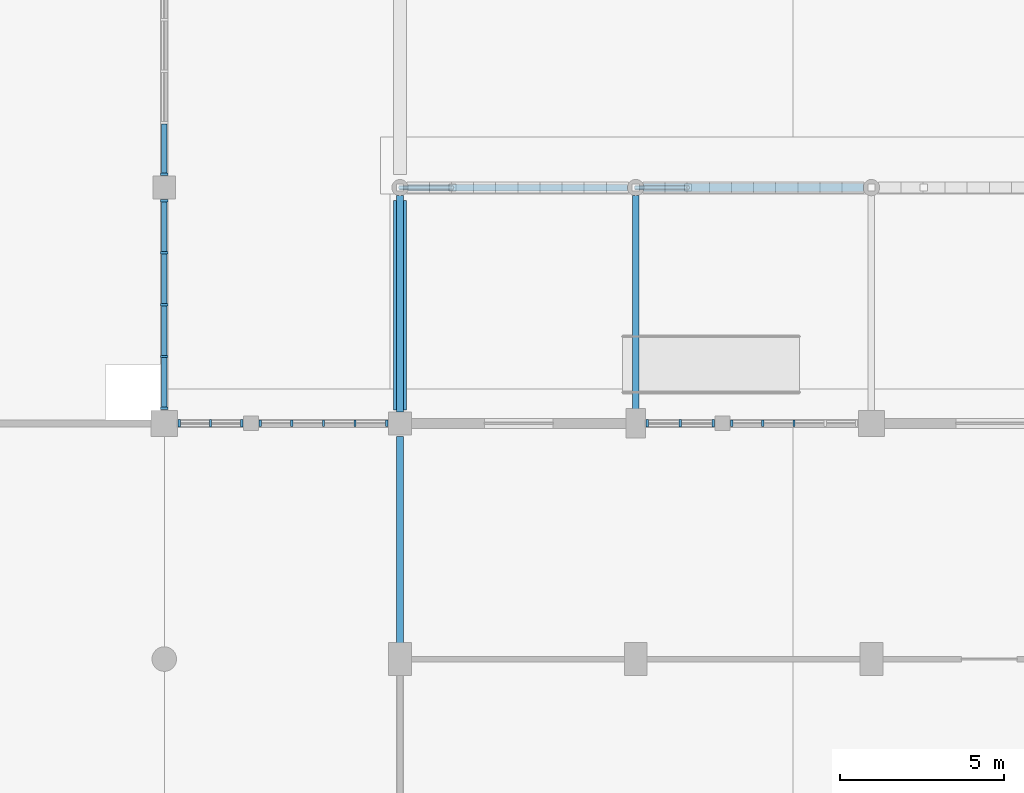
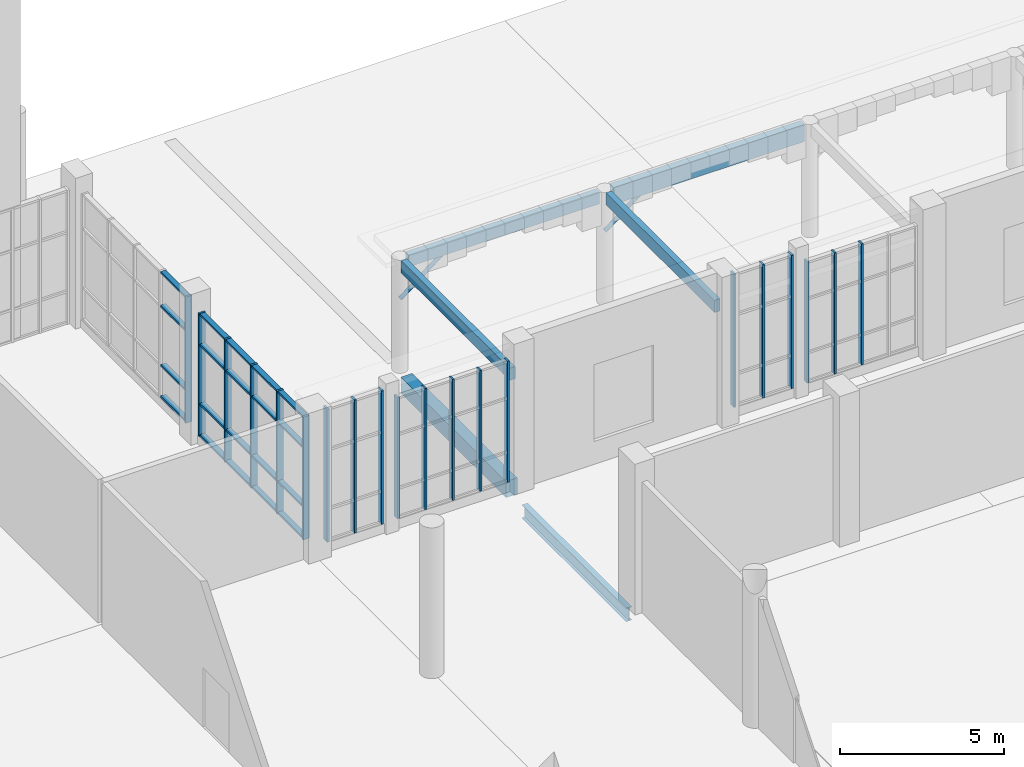
# One storey, part 25 of 85: 42 members, 6 beams, 6 elements without a shape of their own.
"""IFC4 building model written with IfcOpenShell, lengths in metres."""

from ifc_helpers import new_model, si_unit, direction, frame, origin, origin_2d, place, context, subcontext, project, spatial, rectangle, hollow_circle, i_section, extrude, material, material_profile, profile_set, type_object, element, aggregate, save


model = new_model("IFC4")

# Units and contexts
model_context = context("Model", 3, precision=1e-05, world=origin(), true_north=direction((0.0, 1.0)))
body_context = subcontext(model_context, "Body", "Model", "MODEL_VIEW")
ifc_project = project(units=[si_unit("LENGTHUNIT", "METRE"), si_unit("AREAUNIT", "SQUARE_METRE"), si_unit("VOLUMEUNIT", "CUBIC_METRE"), si_unit("PLANEANGLEUNIT", "RADIAN"), si_unit("MASSUNIT", "GRAM", prefix="KILO")], contexts=[model_context])

# Site, building, storey
site_placement = place(None, origin())
site = spatial("IfcSite", under=ifc_project, at=site_placement, CompositionType="ELEMENT")
building_placement = place(site_placement, origin())
building = spatial("IfcBuilding", under=site, at=building_placement, Name="Sardonyx Promenade Sports Hall", CompositionType="ELEMENT")
storey_placement = place(building_placement, origin())
storey = spatial("IfcBuildingStorey", under=building, at=storey_placement, Name="L00", CompositionType="ELEMENT", Elevation=0.0)

# Beams
ifc_material_1 = material(Name="Glulam GL28h", Category="wood")
ifc_material_profile_1 = material_profile(ifc_material_1, rectangle(XDim=0.239990234375, YDim=0.639892578125, at=origin_2d()))
ifc_profile_set_1 = profile_set([ifc_material_profile_1], Name="Glulam GL28h")
beam_type_1 = type_object("IfcBeamType", Name="Bm_Canopy_GL640", PredefinedType="BEAM", material=ifc_profile_set_1)
beam_1_placement = place(storey_placement, frame((122.64501953125, 93.60009765625, 3.8798828125), z_axis=(1.0, 0.0, 0.0), x_axis=(0.0, 1.0, 0.0)))
element("IfcBeam", 1, at=beam_1_placement, inside=storey, type_object=beam_type_1, Name="Promenade colonnade glulam beam #2", PredefinedType="BEAM", context=body_context, shape_type="SweptSolid", body=[
    extrude(rectangle(XDim=0.239990234375, YDim=0.639892578125, at=origin_2d()), origin(), (0.0, 0.0, 1.0), 6.7099609375),
])
ifc_material_2 = material(Name="Steel S355JR", Category="steel")
ifc_material_profile_2 = material_profile(ifc_material_2, i_section(OverallWidth=0.199951171875, OverallDepth=0.5, WebThickness=0.01025390625, FlangeThickness=0.01611328125, at=origin_2d()))
ifc_profile_set_2 = profile_set([ifc_material_profile_2], Name="Steel S355JR")
beam_type_2 = type_object("IfcBeamType", Name="Bm_Primary_IPE500", PredefinedType="BEAM", material=ifc_profile_set_2)
beam_2_placement = place(storey_placement, frame((115.199951171875, 79.64990234375, -0.659912109375), z_axis=(0.0, 1.0, 0.0), x_axis=(-1.0, 0.0, 0.0)))
element("IfcBeam", 2, at=beam_2_placement, inside=storey, type_object=beam_type_2, Name="Beam SB06 L00 #159", PredefinedType="BEAM", context=body_context, shape_type="SweptSolid", body=[
    extrude(i_section(OverallWidth=0.199951171875, OverallDepth=0.5, WebThickness=0.01025390625, FlangeThickness=0.01611328125, at=origin_2d()), origin(), (0.0, 0.0, 1.0), 6.35009765625),
])
ifc_material_3 = material(Name="Glulam GL28h", Category="wood")
ifc_material_profile_3 = material_profile(ifc_material_3, rectangle(XDim=0.199951171875, YDim=0.449951171875, at=origin_2d()))
ifc_profile_set_3 = profile_set([ifc_material_profile_3], Name="Glulam GL28h")
beam_type_3 = type_object("IfcBeamType", Name="Bm_Riwaq_GL450", PredefinedType="BEAM", material=ifc_profile_set_3)
beam_3_placement = place(storey_placement, frame((115.445068359375, 93.60009765625, 3.97509765625), z_axis=(1.0, 0.0, 0.0), x_axis=(0.0, 1.0, 0.0)))
element("IfcBeam", 3, at=beam_3_placement, inside=storey, type_object=beam_type_3, Name="Promenade colonnade glulam beam #1", PredefinedType="BEAM", context=body_context, shape_type="SweptSolid", body=[
    extrude(rectangle(XDim=0.199951171875, YDim=0.449951171875, at=origin_2d()), origin(), (0.0, 0.0, 1.0), 6.7099609375),
])
for number, where, z_axis, x_axis, name in (
    (4, (115.199951171875, 86.75, 3.97509765625), (0.0, 1.0, 0.0), (-1.0, 0.0, 0.0), "Promenade colonnade transverse tie beam #1"),
    (5, (122.39990234375, 86.75, 3.97509765625), (0.0, 1.0, 0.0), (-1.0, 0.0, 0.0), "Promenade colonnade transverse tie beam #2"),
):
    element("IfcBeam", number, at=place(storey_placement, frame(where, z_axis=z_axis, x_axis=x_axis)), inside=storey, type_object=beam_type_3, Name=name, PredefinedType="BEAM", context=body_context, shape_type="SweptSolid", body=[
        extrude(rectangle(XDim=0.199951171875, YDim=0.449951171875, at=origin_2d()), origin(), (0.0, 0.0, 1.0), 6.60498046875),
    ])
ifc_material_4 = material(Name="Concrete C40/50", Category="concrete")
ifc_material_profile_4 = material_profile(ifc_material_4, rectangle(XDim=0.39990234375, YDim=0.60009765625, at=origin_2d()))
ifc_profile_set_4 = profile_set([ifc_material_profile_4], Name="Concrete C40/50")
beam_type_4 = type_object("IfcBeamType", Name="Bm_Spandrel_RC600", PredefinedType="SPANDREL", material=ifc_profile_set_4)
beam_4_placement = place(storey_placement, frame((115.199951171875, 86.800048828125, -0.300048828125), z_axis=(0.0, 1.0, 0.0), x_axis=(-1.0, 0.0, 0.0)))
element("IfcBeam", 6, at=beam_4_placement, inside=storey, type_object=beam_type_4, Name="Beam SPB1 L00 #160", PredefinedType="SPANDREL", context=body_context, shape_type="SweptSolid", body=[
    extrude(rectangle(XDim=0.39990234375, YDim=0.60009765625, at=origin_2d()), origin(), (0.0, 0.0, 1.0), 6.39990234375),
])

# Curtain wall, members
ifc_material_5 = material(Name="Aluminium 6063-T6", Category="aluminium")
curtain_wall_type_1 = type_object("IfcCurtainWallType", Name="CW_Prac_North_L00", PredefinedType="USERDEFINED", material=ifc_material_5)
curtain_wall_1_placement = place(storey_placement, origin())
curtain_wall_1 = element("IfcCurtainWall", 7, at=curtain_wall_1_placement, inside=storey, type_object=curtain_wall_type_1, Name="Curtain wall CW06 cw:L00:098", ObjectType="CURTAIN WALL", PredefinedType="USERDEFINED")
ifc_material_6 = material(Name="Aluminium 6063-T6", Category="aluminium")
ifc_material_profile_5 = material_profile(ifc_material_6, rectangle(XDim=0.070068359375, YDim=0.199951171875, at=origin_2d()))
ifc_profile_set_5 = profile_set([ifc_material_profile_5], Name="Aluminium 6063-T6")
member_type_1 = type_object("IfcMemberType", Name="CW_Mull_200", PredefinedType="MULLION", material=ifc_profile_set_5)
member_1_placement = place(storey_placement, frame((110.929931640625, 86.39990234375, 0.35009765625), z_axis=(0.0, 0.0, 1.0), x_axis=(1.0, 0.0, 0.0)))
member_1 = element("IfcMember", 8, at=member_1_placement, type_object=member_type_1, Name="Mullion CM03 cw:L00:098 #1", PredefinedType="MULLION", context=body_context, shape_type="SweptSolid", body=[
    extrude(rectangle(XDim=0.070068359375, YDim=0.199951171875, at=origin_2d()), origin(), (0.0, 0.0, 1.0), 4.5),
])
member_2_placement = place(storey_placement, frame((111.896240234375, 86.39990234375, 0.35009765625), z_axis=(0.0, 0.0, 1.0), x_axis=(1.0, 0.0, 0.0)))
member_2 = element("IfcMember", 9, at=member_2_placement, type_object=member_type_1, Name="Mullion CM03 cw:L00:098 #2", PredefinedType="MULLION", context=body_context, shape_type="SweptSolid", body=[
    extrude(rectangle(XDim=0.070068359375, YDim=0.199951171875, at=origin_2d()), origin(), (0.0, 0.0, 1.0), 4.5),
])
member_3_placement = place(storey_placement, frame((112.862548828125, 86.39990234375, 0.35009765625), z_axis=(0.0, 0.0, 1.0), x_axis=(1.0, 0.0, 0.0)))
member_3 = element("IfcMember", 10, at=member_3_placement, type_object=member_type_1, Name="Mullion CM03 cw:L00:098 #3", PredefinedType="MULLION", context=body_context, shape_type="SweptSolid", body=[
    extrude(rectangle(XDim=0.070068359375, YDim=0.199951171875, at=origin_2d()), origin(), (0.0, 0.0, 1.0), 4.5),
])
member_4_placement = place(storey_placement, frame((113.828857421875, 86.39990234375, 0.35009765625), z_axis=(0.0, 0.0, 1.0), x_axis=(1.0, 0.0, 0.0)))
member_4 = element("IfcMember", 11, at=member_4_placement, type_object=member_type_1, Name="Mullion CM03 cw:L00:098 #4", PredefinedType="MULLION", context=body_context, shape_type="SweptSolid", body=[
    extrude(rectangle(XDim=0.070068359375, YDim=0.199951171875, at=origin_2d()), origin(), (0.0, 0.0, 1.0), 4.5),
])
member_5_placement = place(storey_placement, frame((114.794921875, 86.39990234375, 0.35009765625), z_axis=(0.0, 0.0, 1.0), x_axis=(1.0, 0.0, 0.0)))
member_5 = element("IfcMember", 12, at=member_5_placement, type_object=member_type_1, Name="Mullion CM03 cw:L00:098 #5", PredefinedType="MULLION", context=body_context, shape_type="SweptSolid", body=[
    extrude(rectangle(XDim=0.070068359375, YDim=0.199951171875, at=origin_2d()), origin(), (0.0, 0.0, 1.0), 4.5),
])
aggregate(curtain_wall_1, [member_1, member_2, member_3, member_4, member_5])

curtain_wall_2_placement = place(storey_placement, origin())
curtain_wall_2 = element("IfcCurtainWall", 13, at=curtain_wall_2_placement, inside=storey, type_object=curtain_wall_type_1, Name="Curtain wall CW06 cw:L00:100", ObjectType="CURTAIN WALL", PredefinedType="USERDEFINED")
member_6_placement = place(storey_placement, frame((125.330078125, 86.39990234375, 0.35009765625), z_axis=(0.0, 0.0, 1.0), x_axis=(1.0, 0.0, 0.0)))
member_6 = element("IfcMember", 14, at=member_6_placement, type_object=member_type_1, Name="Mullion CM03 cw:L00:100 #1", PredefinedType="MULLION", context=body_context, shape_type="SweptSolid", body=[
    extrude(rectangle(XDim=0.070068359375, YDim=0.199951171875, at=origin_2d()), origin(), (0.0, 0.0, 1.0), 4.5),
])
member_7_placement = place(storey_placement, frame((126.28369140625, 86.39990234375, 0.35009765625), z_axis=(0.0, 0.0, 1.0), x_axis=(1.0, 0.0, 0.0)))
member_7 = element("IfcMember", 15, at=member_7_placement, type_object=member_type_1, Name="Mullion CM03 cw:L00:100 #2", PredefinedType="MULLION", context=body_context, shape_type="SweptSolid", body=[
    extrude(rectangle(XDim=0.070068359375, YDim=0.199951171875, at=origin_2d()), origin(), (0.0, 0.0, 1.0), 4.5),
])
member_8_placement = place(storey_placement, frame((127.237548828125, 86.39990234375, 0.35009765625), z_axis=(0.0, 0.0, 1.0), x_axis=(1.0, 0.0, 0.0)))
member_8 = element("IfcMember", 16, at=member_8_placement, type_object=member_type_1, Name="Mullion CM03 cw:L00:100 #3", PredefinedType="MULLION", context=body_context, shape_type="SweptSolid", body=[
    extrude(rectangle(XDim=0.070068359375, YDim=0.199951171875, at=origin_2d()), origin(), (0.0, 0.0, 1.0), 4.5),
])
aggregate(curtain_wall_2, [member_6, member_7, member_8])

# Curtain wall, member
ifc_material_7 = material(Name="Aluminium 6063-T6", Category="aluminium")
curtain_wall_type_2 = type_object("IfcCurtainWallType", Name="CW_Foyer_L00_Tall", PredefinedType="USERDEFINED", material=ifc_material_7)
curtain_wall_3_placement = place(storey_placement, origin())
curtain_wall_3 = element("IfcCurtainWall", 17, at=curtain_wall_3_placement, inside=storey, type_object=curtain_wall_type_2, Name="Curtain wall CW13 cw:L00:093", ObjectType="CURTAIN WALL", PredefinedType="USERDEFINED")
ifc_material_8 = material(Name="Aluminium 6063-T6", Category="aluminium")
ifc_material_profile_6 = material_profile(ifc_material_8, rectangle(XDim=0.074951171875, YDim=0.22509765625, at=origin_2d()))
ifc_profile_set_6 = profile_set([ifc_material_profile_6], Name="Aluminium 6063-T6")
member_type_2 = type_object("IfcMemberType", Name="CW_Mull_225", PredefinedType="MULLION", material=ifc_profile_set_6)
member_9_placement = place(storey_placement, frame((108.0, 94.007568359375, 0.300048828125), z_axis=(0.0, 0.0, 1.0), x_axis=(0.0, -1.0, 0.0)))
member_9 = element("IfcMember", 18, at=member_9_placement, type_object=member_type_2, Name="Mullion CM04 cw:L00:093 #5", PredefinedType="MULLION", context=body_context, shape_type="SweptSolid", body=[
    extrude(rectangle(XDim=0.074951171875, YDim=0.22509765625, at=origin_2d()), origin(), (0.0, 0.0, 1.0), 4.68505859375),
])

# Curtain wall, members
curtain_wall_4_placement = place(storey_placement, origin())
curtain_wall_4 = element("IfcCurtainWall", 19, at=curtain_wall_4_placement, inside=storey, type_object=curtain_wall_type_2, Name="Curtain wall CW13 cw:L00:094", ObjectType="CURTAIN WALL", PredefinedType="USERDEFINED")
member_10_placement = place(storey_placement, frame((108.0, 93.1923828125, 0.300048828125), z_axis=(0.0, 0.0, 1.0), x_axis=(0.0, -1.0, 0.0)))
member_10 = element("IfcMember", 20, at=member_10_placement, type_object=member_type_2, Name="Mullion CM04 cw:L00:094 #1", PredefinedType="MULLION", context=body_context, shape_type="SweptSolid", body=[
    extrude(rectangle(XDim=0.074951171875, YDim=0.22509765625, at=origin_2d()), origin(), (0.0, 0.0, 1.0), 4.56494140625),
])
member_11_placement = place(storey_placement, frame((108.0, 91.608642578125, 0.300048828125), z_axis=(0.0, 0.0, 1.0), x_axis=(0.0, -1.0, 0.0)))
member_11 = element("IfcMember", 21, at=member_11_placement, type_object=member_type_2, Name="Mullion CM04 cw:L00:094 #2", PredefinedType="MULLION", context=body_context, shape_type="SweptSolid", body=[
    extrude(rectangle(XDim=0.074951171875, YDim=0.22509765625, at=origin_2d()), origin(), (0.0, 0.0, 1.0), 4.56494140625),
])
member_12_placement = place(storey_placement, frame((108.0, 90.02490234375, 0.300048828125), z_axis=(0.0, 0.0, 1.0), x_axis=(0.0, -1.0, 0.0)))
member_12 = element("IfcMember", 22, at=member_12_placement, type_object=member_type_2, Name="Mullion CM04 cw:L00:094 #3", PredefinedType="MULLION", context=body_context, shape_type="SweptSolid", body=[
    extrude(rectangle(XDim=0.074951171875, YDim=0.22509765625, at=origin_2d()), origin(), (0.0, 0.0, 1.0), 4.56494140625),
])
member_13_placement = place(storey_placement, frame((108.0, 88.441162109375, 0.300048828125), z_axis=(0.0, 0.0, 1.0), x_axis=(0.0, -1.0, 0.0)))
member_13 = element("IfcMember", 23, at=member_13_placement, type_object=member_type_2, Name="Mullion CM04 cw:L00:094 #4", PredefinedType="MULLION", context=body_context, shape_type="SweptSolid", body=[
    extrude(rectangle(XDim=0.074951171875, YDim=0.22509765625, at=origin_2d()), origin(), (0.0, 0.0, 1.0), 4.56494140625),
])
member_14_placement = place(storey_placement, frame((108.0, 86.857421875, 0.300048828125), z_axis=(0.0, 0.0, 1.0), x_axis=(0.0, -1.0, 0.0)))
member_14 = element("IfcMember", 24, at=member_14_placement, type_object=member_type_2, Name="Mullion CM04 cw:L00:094 #5", PredefinedType="MULLION", context=body_context, shape_type="SweptSolid", body=[
    extrude(rectangle(XDim=0.074951171875, YDim=0.22509765625, at=origin_2d()), origin(), (0.0, 0.0, 1.0), 4.56494140625),
])

ifc_material_9 = material(Name="Aluminium 6063-T6", Category="aluminium")
curtain_wall_type_3 = type_object("IfcCurtainWallType", Name="CW_Foyer_Pilaster_L00", PredefinedType="USERDEFINED", material=ifc_material_9)
curtain_wall_5_placement = place(storey_placement, origin())
curtain_wall_5 = element("IfcCurtainWall", 25, at=curtain_wall_5_placement, inside=storey, type_object=curtain_wall_type_3, Name="Curtain wall CW20 cw:L00:097", ObjectType="CURTAIN WALL", PredefinedType="USERDEFINED")
member_15_placement = place(storey_placement, frame((108.45751953125, 86.39990234375, 0.35009765625), z_axis=(0.0, 0.0, 1.0), x_axis=(1.0, 0.0, 0.0)))
member_15 = element("IfcMember", 26, at=member_15_placement, type_object=member_type_2, Name="Mullion CM04 cw:L00:097 #1", PredefinedType="MULLION", context=body_context, shape_type="SweptSolid", body=[
    extrude(rectangle(XDim=0.074951171875, YDim=0.22509765625, at=origin_2d()), origin(), (0.0, 0.0, 1.0), 4.949951171875),
])
member_16_placement = place(storey_placement, frame((109.41259765625, 86.39990234375, 0.35009765625), z_axis=(0.0, 0.0, 1.0), x_axis=(1.0, 0.0, 0.0)))
member_16 = element("IfcMember", 27, at=member_16_placement, type_object=member_type_2, Name="Mullion CM04 cw:L00:097 #2", PredefinedType="MULLION", context=body_context, shape_type="SweptSolid", body=[
    extrude(rectangle(XDim=0.074951171875, YDim=0.22509765625, at=origin_2d()), origin(), (0.0, 0.0, 1.0), 4.949951171875),
])
member_17_placement = place(storey_placement, frame((110.367431640625, 86.39990234375, 0.35009765625), z_axis=(0.0, 0.0, 1.0), x_axis=(1.0, 0.0, 0.0)))
member_17 = element("IfcMember", 28, at=member_17_placement, type_object=member_type_2, Name="Mullion CM04 cw:L00:097 #3", PredefinedType="MULLION", context=body_context, shape_type="SweptSolid", body=[
    extrude(rectangle(XDim=0.074951171875, YDim=0.22509765625, at=origin_2d()), origin(), (0.0, 0.0, 1.0), 4.949951171875),
])
aggregate(curtain_wall_5, [member_15, member_16, member_17])

curtain_wall_6_placement = place(storey_placement, origin())
curtain_wall_6 = element("IfcCurtainWall", 29, at=curtain_wall_6_placement, inside=storey, type_object=curtain_wall_type_3, Name="Curtain wall CW20 cw:L00:099", ObjectType="CURTAIN WALL", PredefinedType="USERDEFINED")
member_18_placement = place(storey_placement, frame((122.757568359375, 86.39990234375, 0.35009765625), z_axis=(0.0, 0.0, 1.0), x_axis=(1.0, 0.0, 0.0)))
member_18 = element("IfcMember", 30, at=member_18_placement, type_object=member_type_2, Name="Mullion CM04 cw:L00:099 #1", PredefinedType="MULLION", context=body_context, shape_type="SweptSolid", body=[
    extrude(rectangle(XDim=0.074951171875, YDim=0.22509765625, at=origin_2d()), origin(), (0.0, 0.0, 1.0), 4.949951171875),
])
member_19_placement = place(storey_placement, frame((123.762451171875, 86.39990234375, 0.35009765625), z_axis=(0.0, 0.0, 1.0), x_axis=(1.0, 0.0, 0.0)))
member_19 = element("IfcMember", 31, at=member_19_placement, type_object=member_type_2, Name="Mullion CM04 cw:L00:099 #2", PredefinedType="MULLION", context=body_context, shape_type="SweptSolid", body=[
    extrude(rectangle(XDim=0.074951171875, YDim=0.22509765625, at=origin_2d()), origin(), (0.0, 0.0, 1.0), 4.949951171875),
])
member_20_placement = place(storey_placement, frame((124.767578125, 86.39990234375, 0.35009765625), z_axis=(0.0, 0.0, 1.0), x_axis=(1.0, 0.0, 0.0)))
member_20 = element("IfcMember", 32, at=member_20_placement, type_object=member_type_2, Name="Mullion CM04 cw:L00:099 #3", PredefinedType="MULLION", context=body_context, shape_type="SweptSolid", body=[
    extrude(rectangle(XDim=0.074951171875, YDim=0.22509765625, at=origin_2d()), origin(), (0.0, 0.0, 1.0), 4.949951171875),
])
aggregate(curtain_wall_6, [member_18, member_19, member_20])

# Member
ifc_material_10 = material(Name="Aluminium 6063-T6", Category="aluminium")
ifc_material_profile_7 = material_profile(ifc_material_10, rectangle(XDim=0.074951171875, YDim=0.179931640625, at=origin_2d()))
ifc_profile_set_7 = profile_set([ifc_material_profile_7], Name="Aluminium 6063-T6")
member_type_3 = type_object("IfcMemberType", Name="CW_Tran_180", PredefinedType="USERDEFINED", material=ifc_profile_set_7)
member_21_placement = place(storey_placement, frame((108.0, 95.541259765625, 0.33740234375), z_axis=(0.0, -1.0, 0.0), x_axis=(0.0, 0.0, 1.0)))
member_21 = element("IfcMember", 33, at=member_21_placement, type_object=member_type_3, Name="Transom CT04 cw:L00:093 #13", ObjectType="TRANSOM", PredefinedType="USERDEFINED", context=body_context, shape_type="SweptSolid", body=[
    extrude(rectangle(XDim=0.074951171875, YDim=0.179931640625, at=origin_2d()), origin(), (0.0, 0.0, 1.0), 1.496337890625),
])

member_22_placement = place(storey_placement, frame((108.0, 95.541259765625, 1.5), z_axis=(0.0, -1.0, 0.0), x_axis=(0.0, 0.0, 1.0)))
member_22 = element("IfcMember", 34, at=member_22_placement, type_object=member_type_3, Name="Transom CT04 cw:L00:093 #14", ObjectType="TRANSOM", PredefinedType="USERDEFINED", context=body_context, shape_type="SweptSolid", body=[
    extrude(rectangle(XDim=0.074951171875, YDim=0.179931640625, at=origin_2d()), origin(), (0.0, 0.0, 1.0), 1.496337890625),
])

member_23_placement = place(storey_placement, frame((108.0, 95.541259765625, 3.699951171875), z_axis=(0.0, -1.0, 0.0), x_axis=(0.0, 0.0, 1.0)))
member_23 = element("IfcMember", 35, at=member_23_placement, type_object=member_type_3, Name="Transom CT04 cw:L00:093 #15", ObjectType="TRANSOM", PredefinedType="USERDEFINED", context=body_context, shape_type="SweptSolid", body=[
    extrude(rectangle(XDim=0.074951171875, YDim=0.179931640625, at=origin_2d()), origin(), (0.0, 0.0, 1.0), 1.496337890625),
])

member_24_placement = place(storey_placement, frame((108.0, 95.541259765625, 4.947509765625), z_axis=(0.0, -1.0, 0.0), x_axis=(0.0, 0.0, 1.0)))
member_24 = element("IfcMember", 36, at=member_24_placement, type_object=member_type_3, Name="Transom CT04 cw:L00:093 #16", ObjectType="TRANSOM", PredefinedType="USERDEFINED", context=body_context, shape_type="SweptSolid", body=[
    extrude(rectangle(XDim=0.074951171875, YDim=0.179931640625, at=origin_2d()), origin(), (0.0, 0.0, 1.0), 1.496337890625),
])

aggregate(curtain_wall_3, [member_9, member_21, member_22, member_23, member_24])

member_25_placement = place(storey_placement, frame((108.0, 93.155029296875, 0.33740234375), z_axis=(0.0, -1.0, 0.0), x_axis=(0.0, 0.0, 1.0)))
member_25 = element("IfcMember", 37, at=member_25_placement, type_object=member_type_3, Name="Transom CT04 cw:L00:094 #1", ObjectType="TRANSOM", PredefinedType="USERDEFINED", context=body_context, shape_type="SweptSolid", body=[
    extrude(rectangle(XDim=0.074951171875, YDim=0.179931640625, at=origin_2d()), origin(), (0.0, 0.0, 1.0), 1.5087890625),
])

member_26_placement = place(storey_placement, frame((108.0, 93.155029296875, 1.5), z_axis=(0.0, -1.0, 0.0), x_axis=(0.0, 0.0, 1.0)))
member_26 = element("IfcMember", 38, at=member_26_placement, type_object=member_type_3, Name="Transom CT04 cw:L00:094 #2", ObjectType="TRANSOM", PredefinedType="USERDEFINED", context=body_context, shape_type="SweptSolid", body=[
    extrude(rectangle(XDim=0.074951171875, YDim=0.179931640625, at=origin_2d()), origin(), (0.0, 0.0, 1.0), 1.5087890625),
])

member_27_placement = place(storey_placement, frame((108.0, 93.155029296875, 3.699951171875), z_axis=(0.0, -1.0, 0.0), x_axis=(0.0, 0.0, 1.0)))
member_27 = element("IfcMember", 39, at=member_27_placement, type_object=member_type_3, Name="Transom CT04 cw:L00:094 #3", ObjectType="TRANSOM", PredefinedType="USERDEFINED", context=body_context, shape_type="SweptSolid", body=[
    extrude(rectangle(XDim=0.074951171875, YDim=0.179931640625, at=origin_2d()), origin(), (0.0, 0.0, 1.0), 1.5087890625),
])

member_28_placement = place(storey_placement, frame((108.0, 93.155029296875, 4.827392578125), z_axis=(0.0, -1.0, 0.0), x_axis=(0.0, 0.0, 1.0)))
member_28 = element("IfcMember", 40, at=member_28_placement, type_object=member_type_3, Name="Transom CT04 cw:L00:094 #4", ObjectType="TRANSOM", PredefinedType="USERDEFINED", context=body_context, shape_type="SweptSolid", body=[
    extrude(rectangle(XDim=0.074951171875, YDim=0.179931640625, at=origin_2d()), origin(), (0.0, 0.0, 1.0), 1.5087890625),
])

member_29_placement = place(storey_placement, frame((108.0, 91.5712890625, 0.33740234375), z_axis=(0.0, -1.0, 0.0), x_axis=(0.0, 0.0, 1.0)))
member_29 = element("IfcMember", 41, at=member_29_placement, type_object=member_type_3, Name="Transom CT04 cw:L00:094 #5", ObjectType="TRANSOM", PredefinedType="USERDEFINED", context=body_context, shape_type="SweptSolid", body=[
    extrude(rectangle(XDim=0.074951171875, YDim=0.179931640625, at=origin_2d()), origin(), (0.0, 0.0, 1.0), 1.5087890625),
])

member_30_placement = place(storey_placement, frame((108.0, 91.5712890625, 1.5), z_axis=(0.0, -1.0, 0.0), x_axis=(0.0, 0.0, 1.0)))
member_30 = element("IfcMember", 42, at=member_30_placement, type_object=member_type_3, Name="Transom CT04 cw:L00:094 #6", ObjectType="TRANSOM", PredefinedType="USERDEFINED", context=body_context, shape_type="SweptSolid", body=[
    extrude(rectangle(XDim=0.074951171875, YDim=0.179931640625, at=origin_2d()), origin(), (0.0, 0.0, 1.0), 1.5087890625),
])

member_31_placement = place(storey_placement, frame((108.0, 91.5712890625, 3.699951171875), z_axis=(0.0, -1.0, 0.0), x_axis=(0.0, 0.0, 1.0)))
member_31 = element("IfcMember", 43, at=member_31_placement, type_object=member_type_3, Name="Transom CT04 cw:L00:094 #7", ObjectType="TRANSOM", PredefinedType="USERDEFINED", context=body_context, shape_type="SweptSolid", body=[
    extrude(rectangle(XDim=0.074951171875, YDim=0.179931640625, at=origin_2d()), origin(), (0.0, 0.0, 1.0), 1.5087890625),
])

member_32_placement = place(storey_placement, frame((108.0, 91.5712890625, 4.827392578125), z_axis=(0.0, -1.0, 0.0), x_axis=(0.0, 0.0, 1.0)))
member_32 = element("IfcMember", 44, at=member_32_placement, type_object=member_type_3, Name="Transom CT04 cw:L00:094 #8", ObjectType="TRANSOM", PredefinedType="USERDEFINED", context=body_context, shape_type="SweptSolid", body=[
    extrude(rectangle(XDim=0.074951171875, YDim=0.179931640625, at=origin_2d()), origin(), (0.0, 0.0, 1.0), 1.5087890625),
])

member_33_placement = place(storey_placement, frame((108.0, 89.987548828125, 0.33740234375), z_axis=(0.0, -1.0, 0.0), x_axis=(0.0, 0.0, 1.0)))
member_33 = element("IfcMember", 45, at=member_33_placement, type_object=member_type_3, Name="Transom CT04 cw:L00:094 #9", ObjectType="TRANSOM", PredefinedType="USERDEFINED", context=body_context, shape_type="SweptSolid", body=[
    extrude(rectangle(XDim=0.074951171875, YDim=0.179931640625, at=origin_2d()), origin(), (0.0, 0.0, 1.0), 1.5087890625),
])

member_34_placement = place(storey_placement, frame((108.0, 89.987548828125, 1.5), z_axis=(0.0, -1.0, 0.0), x_axis=(0.0, 0.0, 1.0)))
member_34 = element("IfcMember", 46, at=member_34_placement, type_object=member_type_3, Name="Transom CT04 cw:L00:094 #10", ObjectType="TRANSOM", PredefinedType="USERDEFINED", context=body_context, shape_type="SweptSolid", body=[
    extrude(rectangle(XDim=0.074951171875, YDim=0.179931640625, at=origin_2d()), origin(), (0.0, 0.0, 1.0), 1.5087890625),
])

member_35_placement = place(storey_placement, frame((108.0, 89.987548828125, 3.699951171875), z_axis=(0.0, -1.0, 0.0), x_axis=(0.0, 0.0, 1.0)))
member_35 = element("IfcMember", 47, at=member_35_placement, type_object=member_type_3, Name="Transom CT04 cw:L00:094 #11", ObjectType="TRANSOM", PredefinedType="USERDEFINED", context=body_context, shape_type="SweptSolid", body=[
    extrude(rectangle(XDim=0.074951171875, YDim=0.179931640625, at=origin_2d()), origin(), (0.0, 0.0, 1.0), 1.5087890625),
])

member_36_placement = place(storey_placement, frame((108.0, 89.987548828125, 4.827392578125), z_axis=(0.0, -1.0, 0.0), x_axis=(0.0, 0.0, 1.0)))
member_36 = element("IfcMember", 48, at=member_36_placement, type_object=member_type_3, Name="Transom CT04 cw:L00:094 #12", ObjectType="TRANSOM", PredefinedType="USERDEFINED", context=body_context, shape_type="SweptSolid", body=[
    extrude(rectangle(XDim=0.074951171875, YDim=0.179931640625, at=origin_2d()), origin(), (0.0, 0.0, 1.0), 1.5087890625),
])

member_37_placement = place(storey_placement, frame((108.0, 88.40380859375, 0.33740234375), z_axis=(0.0, -1.0, 0.0), x_axis=(0.0, 0.0, 1.0)))
member_37 = element("IfcMember", 49, at=member_37_placement, type_object=member_type_3, Name="Transom CT04 cw:L00:094 #13", ObjectType="TRANSOM", PredefinedType="USERDEFINED", context=body_context, shape_type="SweptSolid", body=[
    extrude(rectangle(XDim=0.074951171875, YDim=0.179931640625, at=origin_2d()), origin(), (0.0, 0.0, 1.0), 1.5087890625),
])

member_38_placement = place(storey_placement, frame((108.0, 88.40380859375, 1.5), z_axis=(0.0, -1.0, 0.0), x_axis=(0.0, 0.0, 1.0)))
member_38 = element("IfcMember", 50, at=member_38_placement, type_object=member_type_3, Name="Transom CT04 cw:L00:094 #14", ObjectType="TRANSOM", PredefinedType="USERDEFINED", context=body_context, shape_type="SweptSolid", body=[
    extrude(rectangle(XDim=0.074951171875, YDim=0.179931640625, at=origin_2d()), origin(), (0.0, 0.0, 1.0), 1.5087890625),
])

member_39_placement = place(storey_placement, frame((108.0, 88.40380859375, 3.699951171875), z_axis=(0.0, -1.0, 0.0), x_axis=(0.0, 0.0, 1.0)))
member_39 = element("IfcMember", 51, at=member_39_placement, type_object=member_type_3, Name="Transom CT04 cw:L00:094 #15", ObjectType="TRANSOM", PredefinedType="USERDEFINED", context=body_context, shape_type="SweptSolid", body=[
    extrude(rectangle(XDim=0.074951171875, YDim=0.179931640625, at=origin_2d()), origin(), (0.0, 0.0, 1.0), 1.5087890625),
])

member_40_placement = place(storey_placement, frame((108.0, 88.40380859375, 4.827392578125), z_axis=(0.0, -1.0, 0.0), x_axis=(0.0, 0.0, 1.0)))
member_40 = element("IfcMember", 52, at=member_40_placement, type_object=member_type_3, Name="Transom CT04 cw:L00:094 #16", ObjectType="TRANSOM", PredefinedType="USERDEFINED", context=body_context, shape_type="SweptSolid", body=[
    extrude(rectangle(XDim=0.074951171875, YDim=0.179931640625, at=origin_2d()), origin(), (0.0, 0.0, 1.0), 1.5087890625),
])

aggregate(curtain_wall_4, [member_10, member_11, member_12, member_13, member_14, member_25, member_26, member_27, member_28, member_29, member_30, member_31, member_32, member_33, member_34, member_35, member_36, member_37, member_38, member_39, member_40])

# Members
ifc_material_11 = material(Name="Steel S355JR", Category="steel")
ifc_material_profile_8 = material_profile(ifc_material_11, hollow_circle(Radius=0.06982421875, WallThickness=0.008056640625, at=origin_2d()))
ifc_profile_set_8 = profile_set([ifc_material_profile_8], Name="Steel S355JR")
member_type_4 = type_object("IfcMemberType", Name="Mbr_Strut_CHS140", PredefinedType="STRUT", material=ifc_profile_set_8)
for number, where, z_axis, x_axis, name in (
    (53, (115.199951171875, 93.60009765625, 2.60009765625), (0.788042602369, 0.0, 0.615620708595), (0.0, 1.0, 0.0), "Pergola knee-brace strut #6"),
    (54, (122.39990234375, 93.60009765625, 2.60009765625), (0.788042602369, 0.0, 0.615620708595), (0.0, 1.0, 0.0), "Pergola knee-brace strut #7"),
):
    element("IfcMember", number, at=place(storey_placement, frame(where, z_axis=z_axis, x_axis=x_axis)), inside=storey, type_object=member_type_4, Name=name, PredefinedType="STRUT", context=body_context, shape_type="SweptSolid", body=[
        extrude(hollow_circle(Radius=0.06982421875, WallThickness=0.008056640625, at=origin_2d()), origin(), (0.0, 0.0, 1.0), 2.030517578125),
    ])

save(model, "model.ifc")
